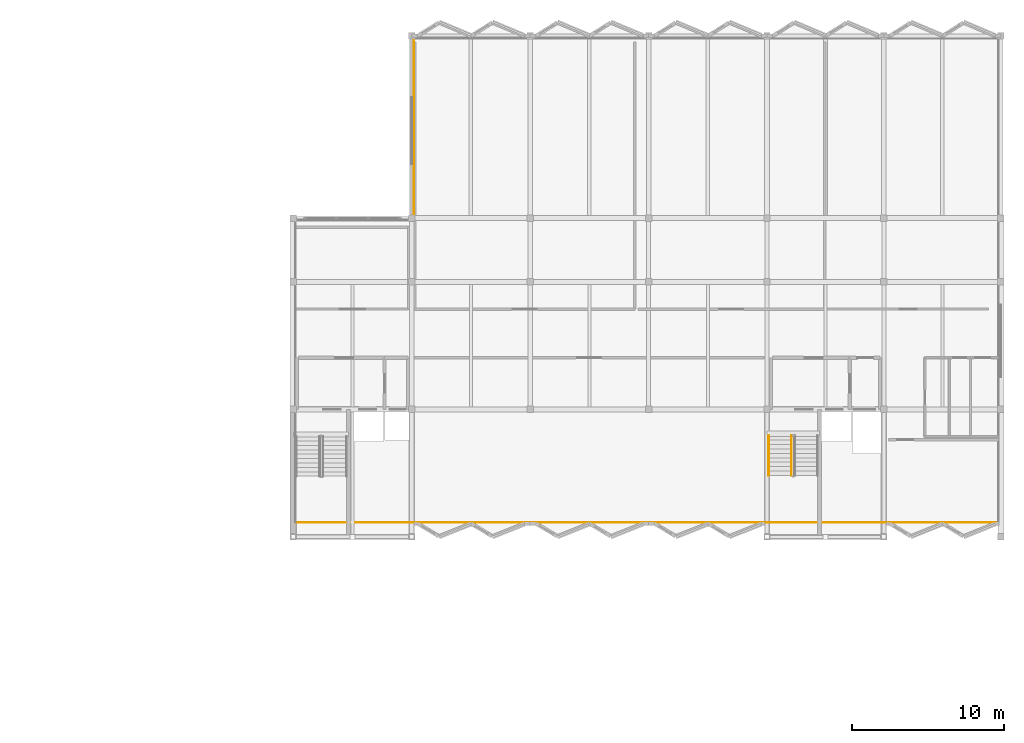
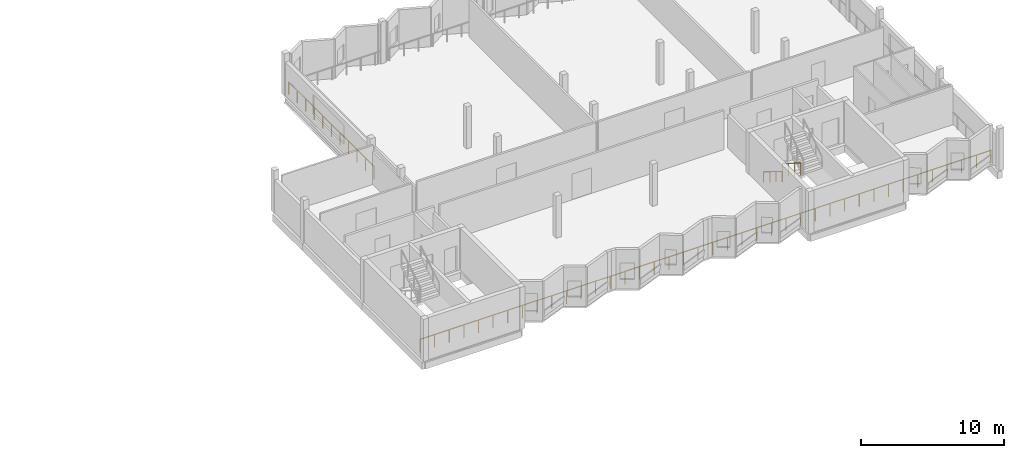
# One storey, part 20 of 22: 4 railings.
"""IFC4 building model written with IfcOpenShell, lengths in metres."""

from ifc_helpers import new_model, si_unit, direction, frame, origin, origin_2d, place, context, subcontext, project, spatial, circle, extrude, material, type_object, element, save


model = new_model("IFC4")

# Units and contexts
model_context = context("Model", 3, precision=1e-05, world=origin(), true_north=direction((0.0, 1.0)))
body_context = subcontext(model_context, "Body", "Model", "MODEL_VIEW")
ifc_project = project(units=[si_unit("LENGTHUNIT", "METRE"), si_unit("AREAUNIT", "SQUARE_METRE"), si_unit("VOLUMEUNIT", "CUBIC_METRE"), si_unit("PLANEANGLEUNIT", "RADIAN"), si_unit("MASSUNIT", "GRAM", prefix="KILO")], contexts=[model_context])

# Site, building, storey
site_placement = place(None, origin())
site = spatial("IfcSite", under=ifc_project, at=site_placement, CompositionType="ELEMENT")
building_placement = place(site_placement, origin())
building = spatial("IfcBuilding", under=site, at=building_placement, Name="Vharandega Faculty of Natural Sciences", CompositionType="ELEMENT")
storey_placement = place(building_placement, frame((0.0, 0.0, 28.800048828125)))
storey = spatial("IfcBuildingStorey", under=building, at=storey_placement, Name="L07", CompositionType="ELEMENT", Elevation=28.800048828125)

# Railings
ifc_material_1 = material(Name="Brushed stainless steel handrail", Category="steel")
railing_type_1 = type_object("IfcRailingType", Name="Stair Tubular Handrail 900", PredefinedType="HANDRAIL", material=ifc_material_1)
railing_1_placement = place(storey_placement, frame((146.110107421875, 70.659912109375, 0.179931640625)))
element("IfcRailing", 1, at=railing_1_placement, inside=storey, type_object=railing_type_1, Name="L07 ST2 stair handrail 1", PredefinedType="HANDRAIL", context=body_context, shape_type="SweptSolid", body=[
    extrude(circle(Radius=0.02392578125, at=origin_2d()), frame((0.0, 0.0, 0.8759765625), z_axis=(0.0, -0.849610693518, 0.52741034258), x_axis=(1.0, 0.0, 0.0)), (0.0, 0.0, 1.0), 3.07177734375),
    extrude(circle(Radius=0.02099609375, at=origin_2d()), origin(), (0.0, 0.0, 1.0), 0.851806640625),
    extrude(circle(Radius=0.02099609375, at=origin_2d()), frame((0.0, -0.869873046875, 0.5400390625)), (0.0, 0.0, 1.0), 0.851806640625),
    extrude(circle(Radius=0.02099609375, at=origin_2d()), frame((0.0, -1.739990234375, 1.080078125)), (0.0, 0.0, 1.0), 0.851806640625),
    extrude(circle(Radius=0.02099609375, at=origin_2d()), frame((0.0, -2.60986328125, 1.6201171875)), (0.0, 0.0, 1.0), 0.851806640625),
])
ifc_material_2 = material(Name="Painted steel stair guardrail", Category="steel")
railing_type_2 = type_object("IfcRailingType", Name="Stairwell Steel Guardrail 1100", PredefinedType="GUARDRAIL", material=ifc_material_2)
railing_2_placement = place(storey_placement, frame((147.610107421875, 70.659912109375, 0.179931640625)))
element("IfcRailing", 2, at=railing_2_placement, inside=storey, type_object=railing_type_2, Name="L07 ST2 stair guard 1", PredefinedType="GUARDRAIL", context=body_context, shape_type="SweptSolid", body=[
    extrude(circle(Radius=0.02392578125, at=origin_2d()), frame((0.0, 0.0, 1.076171875), z_axis=(0.0, -0.849610693518, 0.52741034258), x_axis=(1.0, 0.0, 0.0)), (0.0, 0.0, 1.0), 3.07177734375),
    extrude(circle(Radius=0.02099609375, at=origin_2d()), origin(), (0.0, 0.0, 1.0), 1.052001953125),
    extrude(circle(Radius=0.02099609375, at=origin_2d()), frame((0.0, -0.869873046875, 0.5400390625)), (0.0, 0.0, 1.0), 1.052001953125),
    extrude(circle(Radius=0.02099609375, at=origin_2d()), frame((0.0, -1.739990234375, 1.080078125)), (0.0, 0.0, 1.0), 1.052001953125),
    extrude(circle(Radius=0.02099609375, at=origin_2d()), frame((0.0, -2.60986328125, 1.6201171875)), (0.0, 0.0, 1.0), 1.052001953125),
])
ifc_material_3 = material(Name="Galvanised painted steel balustrade", Category="steel")
railing_type_3 = type_object("IfcRailingType", Name="Terrace Steel Guardrail 1100", PredefinedType="GUARDRAIL", material=ifc_material_3)
railing_3_placement = place(storey_placement, frame((114.97509765625, 64.949951171875, 0.0)))
element("IfcRailing", 3, at=railing_3_placement, inside=storey, type_object=railing_type_3, Name="Perimeter Sill Guard L07 #1", PredefinedType="GUARDRAIL", context=body_context, shape_type="SweptSolid", body=[
    extrude(circle(Radius=0.02392578125, at=origin_2d()), frame((0.0, 0.0, 1.076171875), z_axis=(1.0, 0.0, 0.0), x_axis=(0.0, 1.0, 0.0)), (0.0, 0.0, 1.0), 46.25),
    extrude(circle(Radius=0.02099609375, at=origin_2d()), origin(), (0.0, 0.0, 1.0), 1.052001953125),
    extrude(circle(Radius=0.02099609375, at=origin_2d()), frame((1.185791015625, 0.0, 0.0)), (0.0, 0.0, 1.0), 1.052001953125),
    extrude(circle(Radius=0.02099609375, at=origin_2d()), frame((2.371826171875, 0.0, 0.0)), (0.0, 0.0, 1.0), 1.052001953125),
    extrude(circle(Radius=0.02099609375, at=origin_2d()), frame((3.5576171875, 0.0, 0.0)), (0.0, 0.0, 1.0), 1.052001953125),
    extrude(circle(Radius=0.02099609375, at=origin_2d()), frame((4.74365234375, 0.0, 0.0)), (0.0, 0.0, 1.0), 1.052001953125),
    extrude(circle(Radius=0.02099609375, at=origin_2d()), frame((5.929443359375, 0.0, 0.0)), (0.0, 0.0, 1.0), 1.052001953125),
    extrude(circle(Radius=0.02099609375, at=origin_2d()), frame((7.115478515625, 0.0, 0.0)), (0.0, 0.0, 1.0), 1.052001953125),
    extrude(circle(Radius=0.02099609375, at=origin_2d()), frame((8.30126953125, 0.0, 0.0)), (0.0, 0.0, 1.0), 1.052001953125),
    extrude(circle(Radius=0.02099609375, at=origin_2d()), frame((9.487060546875, 0.0, 0.0)), (0.0, 0.0, 1.0), 1.052001953125),
    extrude(circle(Radius=0.02099609375, at=origin_2d()), frame((10.673095703125, 0.0, 0.0)), (0.0, 0.0, 1.0), 1.052001953125),
    extrude(circle(Radius=0.02099609375, at=origin_2d()), frame((11.85888671875, 0.0, 0.0)), (0.0, 0.0, 1.0), 1.052001953125),
    extrude(circle(Radius=0.02099609375, at=origin_2d()), frame((13.044921875, 0.0, 0.0)), (0.0, 0.0, 1.0), 1.052001953125),
    extrude(circle(Radius=0.02099609375, at=origin_2d()), frame((14.230712890625, 0.0, 0.0)), (0.0, 0.0, 1.0), 1.052001953125),
    extrude(circle(Radius=0.02099609375, at=origin_2d()), frame((15.416748046875, 0.0, 0.0)), (0.0, 0.0, 1.0), 1.052001953125),
    extrude(circle(Radius=0.02099609375, at=origin_2d()), frame((16.6025390625, 0.0, 0.0)), (0.0, 0.0, 1.0), 1.052001953125),
    extrude(circle(Radius=0.02099609375, at=origin_2d()), frame((17.78857421875, 0.0, 0.0)), (0.0, 0.0, 1.0), 1.052001953125),
    extrude(circle(Radius=0.02099609375, at=origin_2d()), frame((18.974365234375, 0.0, 0.0)), (0.0, 0.0, 1.0), 1.052001953125),
    extrude(circle(Radius=0.02099609375, at=origin_2d()), frame((20.16015625, 0.0, 0.0)), (0.0, 0.0, 1.0), 1.052001953125),
    extrude(circle(Radius=0.02099609375, at=origin_2d()), frame((21.34619140625, 0.0, 0.0)), (0.0, 0.0, 1.0), 1.052001953125),
    extrude(circle(Radius=0.02099609375, at=origin_2d()), frame((22.531982421875, 0.0, 0.0)), (0.0, 0.0, 1.0), 1.052001953125),
    extrude(circle(Radius=0.02099609375, at=origin_2d()), frame((23.718017578125, 0.0, 0.0)), (0.0, 0.0, 1.0), 1.052001953125),
    extrude(circle(Radius=0.02099609375, at=origin_2d()), frame((24.90380859375, 0.0, 0.0)), (0.0, 0.0, 1.0), 1.052001953125),
    extrude(circle(Radius=0.02099609375, at=origin_2d()), frame((26.08984375, 0.0, 0.0)), (0.0, 0.0, 1.0), 1.052001953125),
    extrude(circle(Radius=0.02099609375, at=origin_2d()), frame((27.275634765625, 0.0, 0.0)), (0.0, 0.0, 1.0), 1.052001953125),
    extrude(circle(Radius=0.02099609375, at=origin_2d()), frame((28.46142578125, 0.0, 0.0)), (0.0, 0.0, 1.0), 1.052001953125),
    extrude(circle(Radius=0.02099609375, at=origin_2d()), frame((29.6474609375, 0.0, 0.0)), (0.0, 0.0, 1.0), 1.052001953125),
    extrude(circle(Radius=0.02099609375, at=origin_2d()), frame((30.833251953125, 0.0, 0.0)), (0.0, 0.0, 1.0), 1.052001953125),
    extrude(circle(Radius=0.02099609375, at=origin_2d()), frame((32.019287109375, 0.0, 0.0)), (0.0, 0.0, 1.0), 1.052001953125),
    extrude(circle(Radius=0.02099609375, at=origin_2d()), frame((33.205078125, 0.0, 0.0)), (0.0, 0.0, 1.0), 1.052001953125),
    extrude(circle(Radius=0.02099609375, at=origin_2d()), frame((34.39111328125, 0.0, 0.0)), (0.0, 0.0, 1.0), 1.052001953125),
    extrude(circle(Radius=0.02099609375, at=origin_2d()), frame((35.576904296875, 0.0, 0.0)), (0.0, 0.0, 1.0), 1.052001953125),
    extrude(circle(Radius=0.02099609375, at=origin_2d()), frame((36.762939453125, 0.0, 0.0)), (0.0, 0.0, 1.0), 1.052001953125),
    extrude(circle(Radius=0.02099609375, at=origin_2d()), frame((37.94873046875, 0.0, 0.0)), (0.0, 0.0, 1.0), 1.052001953125),
    extrude(circle(Radius=0.02099609375, at=origin_2d()), frame((39.134521484375, 0.0, 0.0)), (0.0, 0.0, 1.0), 1.052001953125),
    extrude(circle(Radius=0.02099609375, at=origin_2d()), frame((40.320556640625, 0.0, 0.0)), (0.0, 0.0, 1.0), 1.052001953125),
    extrude(circle(Radius=0.02099609375, at=origin_2d()), frame((41.50634765625, 0.0, 0.0)), (0.0, 0.0, 1.0), 1.052001953125),
    extrude(circle(Radius=0.02099609375, at=origin_2d()), frame((42.6923828125, 0.0, 0.0)), (0.0, 0.0, 1.0), 1.052001953125),
    extrude(circle(Radius=0.02099609375, at=origin_2d()), frame((43.878173828125, 0.0, 0.0)), (0.0, 0.0, 1.0), 1.052001953125),
    extrude(circle(Radius=0.02099609375, at=origin_2d()), frame((45.064208984375, 0.0, 0.0)), (0.0, 0.0, 1.0), 1.052001953125),
    extrude(circle(Radius=0.02099609375, at=origin_2d()), frame((46.25, 0.0, 0.0)), (0.0, 0.0, 1.0), 1.052001953125),
])
railing_4_placement = place(storey_placement, frame((122.75, 96.824951171875, 0.0)))
element("IfcRailing", 4, at=railing_4_placement, inside=storey, type_object=railing_type_3, Name="Perimeter Sill Guard L07 #4", PredefinedType="GUARDRAIL", context=body_context, shape_type="SweptSolid", body=[
    extrude(circle(Radius=0.02392578125, at=origin_2d()), frame((0.0, 0.0, 1.076171875), z_axis=(0.0, -1.0, 0.0), x_axis=(1.0, 0.0, 0.0)), (0.0, 0.0, 1.0), 11.949951171875),
    extrude(circle(Radius=0.02099609375, at=origin_2d()), origin(), (0.0, 0.0, 1.0), 1.052001953125),
    extrude(circle(Radius=0.02099609375, at=origin_2d()), frame((0.0, -1.195068359375, 0.0)), (0.0, 0.0, 1.0), 1.052001953125),
    extrude(circle(Radius=0.02099609375, at=origin_2d()), frame((0.0, -2.389892578125, 0.0)), (0.0, 0.0, 1.0), 1.052001953125),
    extrude(circle(Radius=0.02099609375, at=origin_2d()), frame((0.0, -3.5849609375, 0.0)), (0.0, 0.0, 1.0), 1.052001953125),
    extrude(circle(Radius=0.02099609375, at=origin_2d()), frame((0.0, -4.780029296875, 0.0)), (0.0, 0.0, 1.0), 1.052001953125),
    extrude(circle(Radius=0.02099609375, at=origin_2d()), frame((0.0, -5.97509765625, 0.0)), (0.0, 0.0, 1.0), 1.052001953125),
    extrude(circle(Radius=0.02099609375, at=origin_2d()), frame((0.0, -7.169921875, 0.0)), (0.0, 0.0, 1.0), 1.052001953125),
    extrude(circle(Radius=0.02099609375, at=origin_2d()), frame((0.0, -8.364990234375, 0.0)), (0.0, 0.0, 1.0), 1.052001953125),
    extrude(circle(Radius=0.02099609375, at=origin_2d()), frame((0.0, -9.56005859375, 0.0)), (0.0, 0.0, 1.0), 1.052001953125),
    extrude(circle(Radius=0.02099609375, at=origin_2d()), frame((0.0, -10.7548828125, 0.0)), (0.0, 0.0, 1.0), 1.052001953125),
    extrude(circle(Radius=0.02099609375, at=origin_2d()), frame((0.0, -11.949951171875, 0.0)), (0.0, 0.0, 1.0), 1.052001953125),
])

save(model, "model.ifc")
